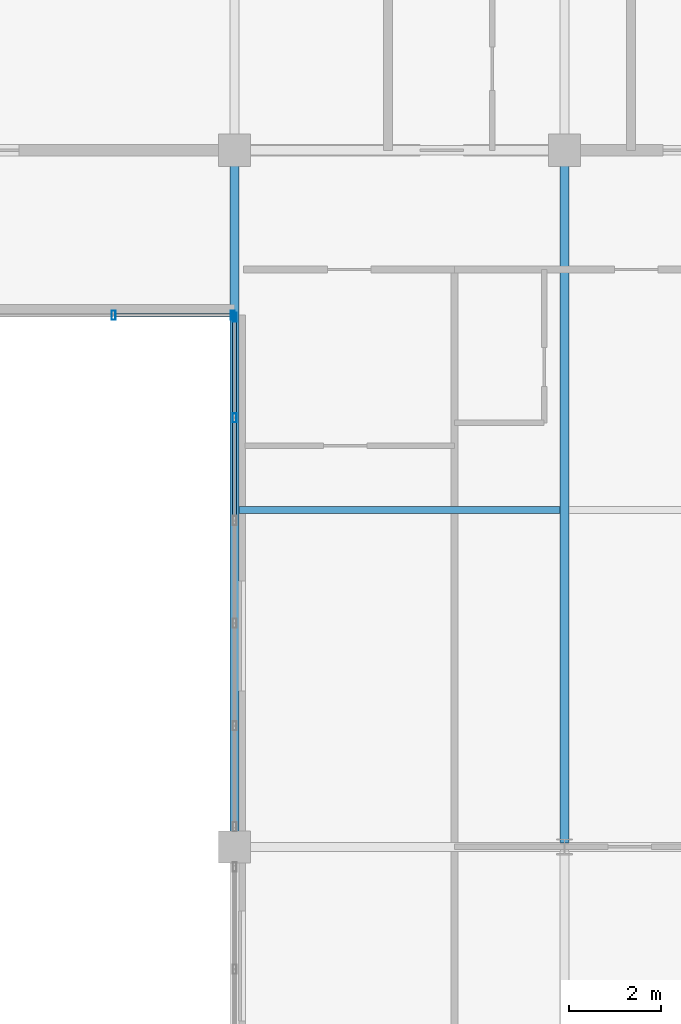
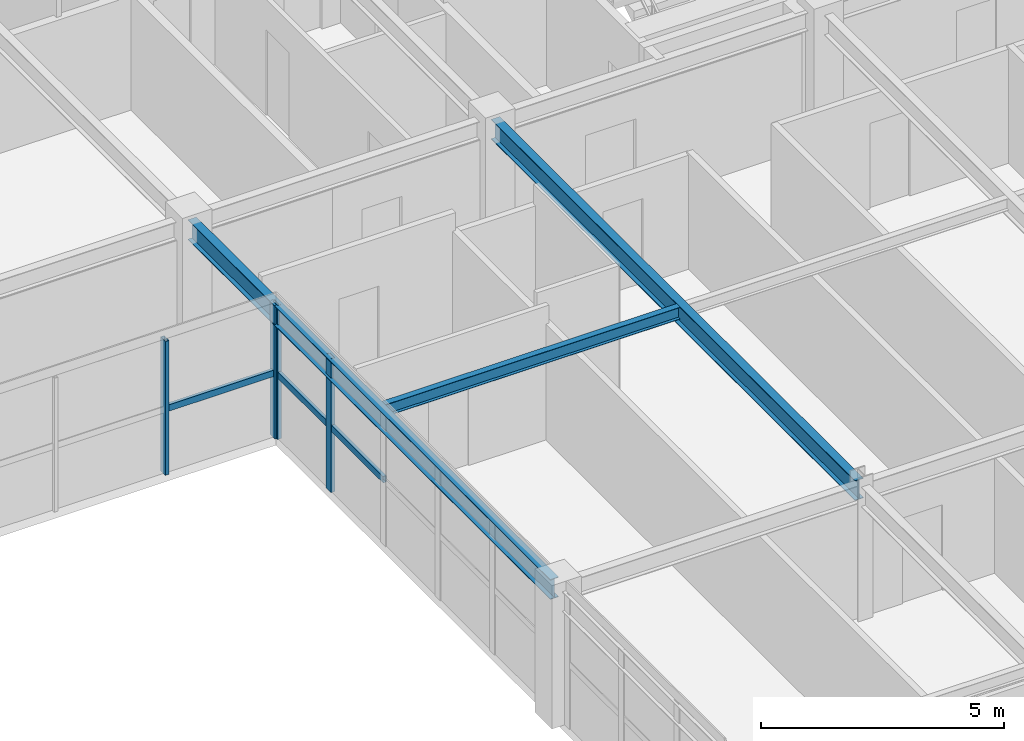
# One storey, part 14 of 34: 7 members, 3 beams, 2 elements without a shape of their own.
"""IFC4 building model written with IfcOpenShell, lengths in metres."""

from ifc_helpers import new_model, si_unit, direction, frame, origin, origin_2d, place, context, subcontext, project, spatial, hollow_rectangle, i_section, extrude, source, transform, mapped, material, material_profile, profile_set, type_object, element, aggregate, save


model = new_model("IFC4")

# Units and contexts
model_context = context("Model", 3, precision=1e-05, world=origin(), true_north=direction((0.0, 1.0)))
body_context = subcontext(model_context, "Body", "Model", "MODEL_VIEW")
ifc_project = project(units=[si_unit("LENGTHUNIT", "METRE"), si_unit("AREAUNIT", "SQUARE_METRE"), si_unit("VOLUMEUNIT", "CUBIC_METRE"), si_unit("PLANEANGLEUNIT", "RADIAN"), si_unit("MASSUNIT", "GRAM", prefix="KILO")], contexts=[model_context])

# Site, building, storey
site_placement = place(None, origin())
site = spatial("IfcSite", under=ifc_project, at=site_placement, CompositionType="ELEMENT")
building_placement = place(site_placement, origin())
building = spatial("IfcBuilding", under=site, at=building_placement, Name="Trelvane Seafront Commons", CompositionType="ELEMENT")
storey_placement = place(building_placement, frame((0.0, 0.0, 197.699951171875)))
storey = spatial("IfcBuildingStorey", under=building, at=storey_placement, Name="L51", CompositionType="ELEMENT", Elevation=197.699951171875)

# Beams
ifc_material_1 = material(Name="Steel SM355 (S355)", Category="steel")
ifc_material_profile_1 = material_profile(ifc_material_1, i_section(OverallWidth=0.199951171875, OverallDepth=0.5, WebThickness=0.010009765625, FlangeThickness=0.01611328125, at=origin_2d()), Name="H-500x200x10x16")
ifc_profile_set_1 = profile_set([ifc_material_profile_1], Name="Steel SM355 (S355)")
beam_type_1 = type_object("IfcBeamType", Name="STR-BM-H500", PredefinedType="BEAM", material=ifc_profile_set_1)
shared_shape_1 = source(origin(), body_context, "Body", "SweptSolid", [
    extrude(i_section(OverallWidth=0.199951171875, OverallDepth=0.5, WebThickness=0.010009765625, FlangeThickness=0.01611328125, at=origin_2d()), origin(), (0.0, 0.0, 1.0), 14.89990234375),
])
beam_1_placement = place(storey_placement, frame((43.800048828125, 18.35009765625, 3.110107421875), z_axis=(0.0, 1.0, 0.0), x_axis=(-1.0, 0.0, 0.0)))
element("IfcBeam", 1, at=beam_1_placement, inside=storey, type_object=beam_type_1, Name="L51 Primary Girder G-42", PredefinedType="BEAM", context=body_context, shape_type="MappedRepresentation", body=[
    mapped(shared_shape_1, transform((0.0, 0.0, 0.0), x_axis=(1.0, 0.0, 0.0), y_axis=(0.0, 1.0, 0.0), z_axis=(0.0, 0.0, 1.0), scale=1.0)),
])
shared_shape_2 = source(origin(), body_context, "Body", "SweptSolid", [
    extrude(i_section(OverallWidth=0.199951171875, OverallDepth=0.5, WebThickness=0.010009765625, FlangeThickness=0.01611328125, at=origin_2d()), origin(), (0.0, 0.0, 1.0), 14.96240234375),
])
beam_2_placement = place(storey_placement, frame((51.0, 18.28759765625, 3.110107421875), z_axis=(0.0, 1.0, 0.0), x_axis=(-1.0, 0.0, 0.0)))
element("IfcBeam", 2, at=beam_2_placement, inside=storey, type_object=beam_type_1, Name="L51 Primary Girder G-45", PredefinedType="BEAM", context=body_context, shape_type="MappedRepresentation", body=[
    mapped(shared_shape_2, transform((0.0, 0.0, 0.0), x_axis=(1.0, 0.0, 0.0), y_axis=(0.0, 1.0, 0.0), z_axis=(0.0, 0.0, 1.0), scale=1.0)),
])
ifc_material_profile_2 = material_profile(ifc_material_1, i_section(OverallWidth=0.14990234375, OverallDepth=0.300048828125, WebThickness=0.006591796875, FlangeThickness=0.009033203125, at=origin_2d()), Name="H-300x150x6.5x9")
ifc_profile_set_2 = profile_set([ifc_material_profile_2], Name="Steel SM355 (S355)")
beam_type_2 = type_object("IfcBeamType", Name="STR-JST-H300", PredefinedType="JOIST", material=ifc_profile_set_2)
shared_shape_3 = source(origin(), body_context, "Body", "SweptSolid", [
    extrude(i_section(OverallWidth=0.14990234375, OverallDepth=0.300048828125, WebThickness=0.006591796875, FlangeThickness=0.009033203125, at=origin_2d()), origin(), (0.0, 0.0, 1.0), 7.0),
])
beam_3_placement = place(storey_placement, frame((43.89990234375, 25.550048828125, 3.2099609375), z_axis=(1.0, 0.0, 0.0), x_axis=(0.0, 1.0, 0.0)))
element("IfcBeam", 3, at=beam_3_placement, inside=storey, type_object=beam_type_2, Name="L51 Secondary Floor Joist B-64", PredefinedType="JOIST", context=body_context, shape_type="MappedRepresentation", body=[
    mapped(shared_shape_3, transform((0.0, 0.0, 0.0), x_axis=(1.0, 0.0, 0.0), y_axis=(0.0, 1.0, 0.0), z_axis=(0.0, 0.0, 1.0), scale=1.0)),
])

# Curtain wall, members
ifc_material_2 = material(Name="Anodised pale-silver aluminium", Category="aluminium")
curtain_wall_type = type_object("IfcCurtainWallType", Name="ARCH-CW3-PORTAL", PredefinedType="NOTDEFINED", material=ifc_material_2)
curtain_wall_1_placement = place(storey_placement, origin())
curtain_wall_1 = element("IfcCurtainWall", 4, at=curtain_wall_1_placement, inside=storey, type_object=curtain_wall_type, Name="CW-L51-VP-0088", PredefinedType="NOTDEFINED")
ifc_material_profile_3 = material_profile(ifc_material_2, hollow_rectangle(XDim=0.080078125, YDim=0.159912109375, WallThickness=0.00439453125, at=origin_2d()), Name="TRAN-80x160x4.5")
ifc_profile_set_3 = profile_set([ifc_material_profile_3], Name="Anodised pale-silver aluminium")
member_type_1 = type_object("IfcMemberType", Name="ARCH-CW-TRAN-160", PredefinedType="USERDEFINED", material=ifc_profile_set_3)
shared_shape_4 = source(origin(), body_context, "Body", "SweptSolid", [
    extrude(hollow_rectangle(XDim=0.080078125, YDim=0.159912109375, WallThickness=0.00439453125, at=origin_2d()), origin(), (0.0, 0.0, 1.0), 2.216064453125),
])
member_1_placement = place(storey_placement, frame((43.800048828125, 29.7880859375, 1.613037109375), z_axis=(0.0, -1.0, 0.0), x_axis=(1.0, 0.0, 0.0)))
member_1 = element("IfcMember", 5, at=member_1_placement, type_object=member_type_1, Name="CW-L51-VP-0088-T00", ObjectType="TRANSOM", PredefinedType="USERDEFINED", context=body_context, shape_type="MappedRepresentation", body=[
    mapped(shared_shape_4, transform((0.0, 0.0, 0.0), x_axis=(1.0, 0.0, 0.0), y_axis=(0.0, 1.0, 0.0), z_axis=(0.0, 0.0, 1.0), scale=1.0)),
])
member_2_placement = place(storey_placement, frame((43.800048828125, 27.548095703125, 1.613037109375), z_axis=(0.0, -1.0, 0.0), x_axis=(1.0, 0.0, 0.0)))
member_2 = element("IfcMember", 6, at=member_2_placement, type_object=member_type_1, Name="CW-L51-VP-0088-T01", ObjectType="TRANSOM", PredefinedType="USERDEFINED", context=body_context, shape_type="MappedRepresentation", body=[
    mapped(shared_shape_4, transform((0.0, 0.0, 0.0), x_axis=(1.0, 0.0, 0.0), y_axis=(0.0, 1.0, 0.0), z_axis=(0.0, 0.0, 1.0), scale=1.0)),
])

curtain_wall_2_placement = place(storey_placement, origin())
curtain_wall_2 = element("IfcCurtainWall", 7, at=curtain_wall_2_placement, inside=storey, type_object=curtain_wall_type, Name="CW-L51-VP-0087", PredefinedType="NOTDEFINED")
shared_shape_5 = source(origin(), body_context, "Body", "SweptSolid", [
    extrude(hollow_rectangle(XDim=0.080078125, YDim=0.159912109375, WallThickness=0.00439453125, at=origin_2d()), origin(), (0.0, 0.0, 1.0), 2.615966796875),
])
member_3_placement = place(storey_placement, frame((41.172119140625, 29.800048828125, 1.613037109375), z_axis=(1.0, 0.0, 0.0), x_axis=(0.0, 1.0, 0.0)))
member_3 = element("IfcMember", 8, at=member_3_placement, type_object=member_type_1, Name="CW-L51-VP-0087-T04", ObjectType="TRANSOM", PredefinedType="USERDEFINED", context=body_context, shape_type="MappedRepresentation", body=[
    mapped(shared_shape_5, transform((0.0, 0.0, 0.0), x_axis=(1.0, 0.0, 0.0), y_axis=(0.0, 1.0, 0.0), z_axis=(0.0, 0.0, 1.0), scale=1.0)),
])
ifc_material_profile_4 = material_profile(ifc_material_2, hollow_rectangle(XDim=0.090087890625, YDim=0.199951171875, WallThickness=0.0048828125, at=origin_2d()), Name="MULL-90x200x5")
ifc_profile_set_4 = profile_set([ifc_material_profile_4], Name="Anodised pale-silver aluminium")
member_type_2 = type_object("IfcMemberType", Name="ARCH-CW-MULL-200", PredefinedType="MULLION", material=ifc_profile_set_4)
shared_shape_6 = source(origin(), body_context, "Body", "SweptSolid", [
    extrude(hollow_rectangle(XDim=0.090087890625, YDim=0.199951171875, WallThickness=0.0048828125, at=origin_2d()), origin(), (0.0, 0.0, 1.0), 3.360107421875),
])
member_4_placement = place(storey_placement, frame((41.159912109375, 29.800048828125, 0.0), z_axis=(0.0, 0.0, 1.0), x_axis=(1.0, 0.0, 0.0)))
member_4 = element("IfcMember", 9, at=member_4_placement, type_object=member_type_2, Name="CW-L51-VP-0087-M04", PredefinedType="MULLION", context=body_context, shape_type="MappedRepresentation", body=[
    mapped(shared_shape_6, transform((0.0, 0.0, 0.0), x_axis=(1.0, 0.0, 0.0), y_axis=(0.0, 1.0, 0.0), z_axis=(0.0, 0.0, 1.0), scale=1.0)),
])
member_5_placement = place(storey_placement, frame((43.760009765625, 29.800048828125, 0.0), z_axis=(0.0, 0.0, 1.0), x_axis=(1.0, 0.0, 0.0)))
member_5 = element("IfcMember", 10, at=member_5_placement, type_object=member_type_2, Name="CW-L51-VP-0087-M05", PredefinedType="MULLION", context=body_context, shape_type="MappedRepresentation", body=[
    mapped(shared_shape_6, transform((0.0, 0.0, 0.0), x_axis=(1.0, 0.0, 0.0), y_axis=(0.0, 1.0, 0.0), z_axis=(0.0, 0.0, 1.0), scale=1.0)),
])
aggregate(curtain_wall_2, [member_4, member_5, member_3])

# Member
member_6_placement = place(storey_placement, frame((43.800048828125, 29.760009765625, 0.0), z_axis=(0.0, 0.0, 1.0), x_axis=(1.0, 0.0, 0.0)))
member_6 = element("IfcMember", 11, at=member_6_placement, type_object=member_type_2, Name="CW-L51-VP-0088-M00", PredefinedType="MULLION", context=body_context, shape_type="MappedRepresentation", body=[
    mapped(shared_shape_6, transform((0.0, 0.0, 0.0), x_axis=(1.0, 0.0, 0.0), y_axis=(0.0, 1.0, 0.0), z_axis=(0.0, 0.0, 1.0), scale=1.0)),
])

member_7_placement = place(storey_placement, frame((43.800048828125, 27.56005859375, 0.0), z_axis=(0.0, 0.0, 1.0), x_axis=(1.0, 0.0, 0.0)))
member_7 = element("IfcMember", 12, at=member_7_placement, type_object=member_type_2, Name="CW-L51-VP-0088-M01", PredefinedType="MULLION", context=body_context, shape_type="MappedRepresentation", body=[
    mapped(shared_shape_6, transform((0.0, 0.0, 0.0), x_axis=(1.0, 0.0, 0.0), y_axis=(0.0, 1.0, 0.0), z_axis=(0.0, 0.0, 1.0), scale=1.0)),
])

aggregate(curtain_wall_1, [member_6, member_7, member_1, member_2])

save(model, "model.ifc")
